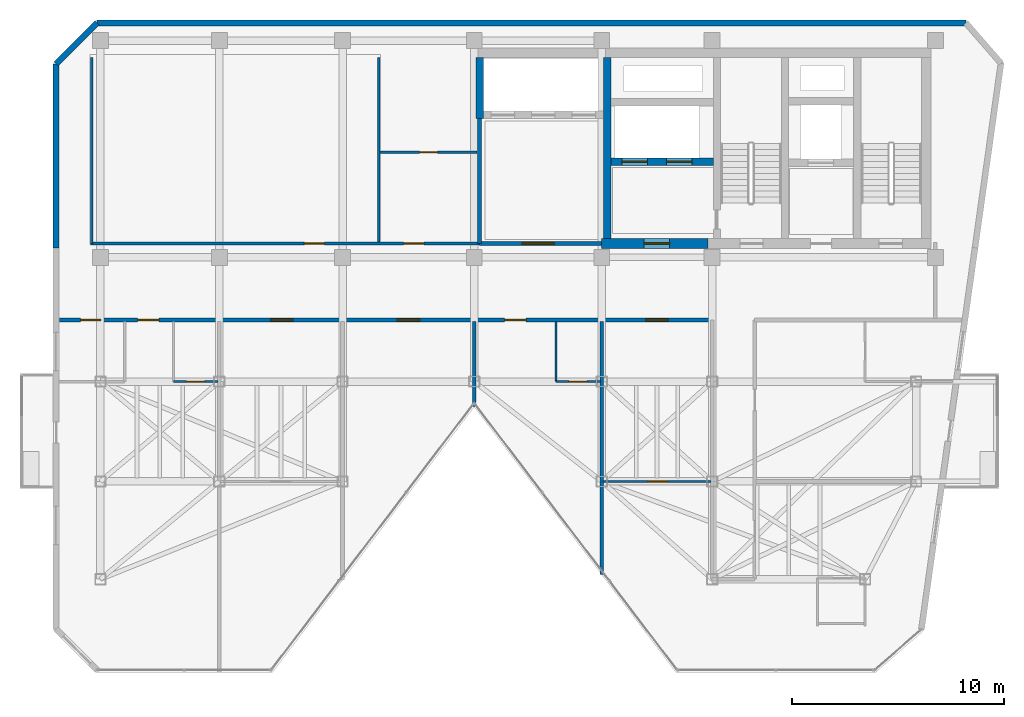
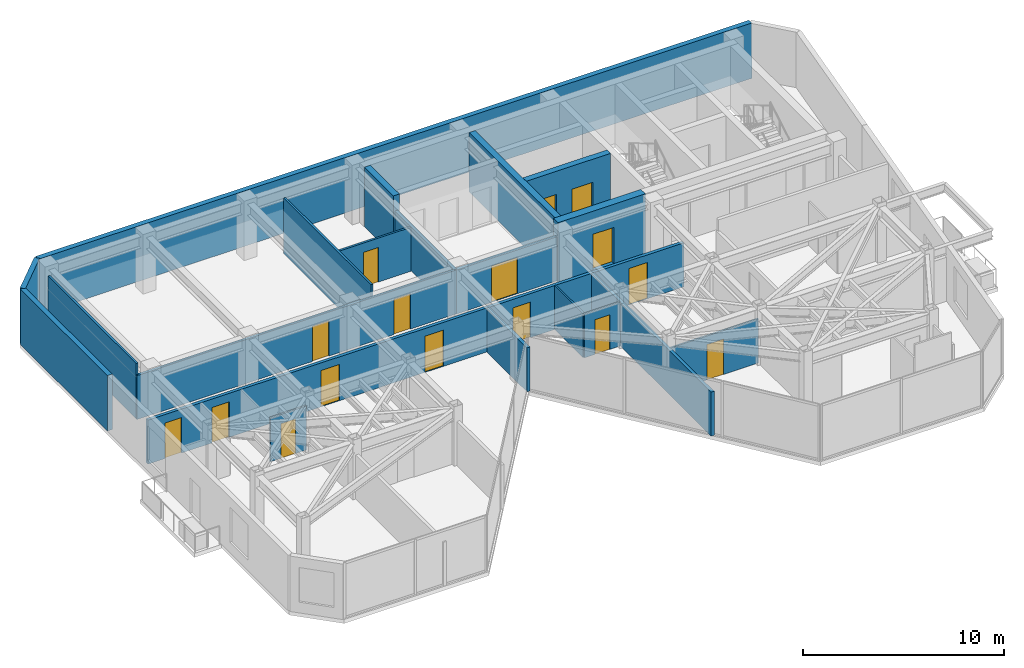
# One storey, part 13 of 17: 20 walls, 16 doors, 16 openings.
"""IFC4 building model written with IfcOpenShell, lengths in metres."""

from ifc_helpers import new_model, si_unit, direction, frame, frame_2d, origin, place, context, subcontext, project, spatial, rectangle, extrude, material, layer, layer_set, type_object, element, fill, save


model = new_model("IFC4")

# Units and contexts
model_context = context("Model", 3, precision=1e-05, world=origin(), true_north=direction((0.0, 1.0)))
body_context = subcontext(model_context, "Body", "Model", "MODEL_VIEW")
ifc_project = project(units=[si_unit("LENGTHUNIT", "METRE"), si_unit("AREAUNIT", "SQUARE_METRE"), si_unit("VOLUMEUNIT", "CUBIC_METRE"), si_unit("PLANEANGLEUNIT", "RADIAN"), si_unit("MASSUNIT", "GRAM", prefix="KILO")], contexts=[model_context])

# Site, building, storey
site_placement = place(None, origin())
site = spatial("IfcSite", under=ifc_project, at=site_placement, CompositionType="ELEMENT")
building_placement = place(site_placement, origin())
building = spatial("IfcBuilding", under=site, at=building_placement, Name="Kravanh Interchange Tower", CompositionType="ELEMENT")
storey_placement = place(building_placement, frame((0.0, 0.0, 256.199951171875)))
storey = spatial("IfcBuildingStorey", under=building, at=storey_placement, Name="L62", CompositionType="ELEMENT", Elevation=256.199951171875)

# Walls
ifc_material_1 = material(Name="Double Acoustic Gypsum Board and Mineral Wool")
ifc_layer_1 = layer(ifc_material_1, 0.1201171875)
ifc_layer_set_1 = layer_set([ifc_layer_1], Name="Acoustic Office Drywall Partition 120mm")
wall_type_1 = type_object("IfcWallType", Name="Acoustic Office Drywall Partition 120mm", PredefinedType="PARTITIONING", material=ifc_layer_set_1)
wall_1_placement = place(storey_placement, frame((26.800048828125, 38.0, 0.0), z_axis=(0.0, 0.0, 1.0), x_axis=(0.0, 1.0, 0.0)))
element("IfcWall", 1, at=wall_1_placement, inside=storey, type_object=wall_type_1, Name="L62 Interior Partition 4", PredefinedType="PARTITIONING", context=body_context, shape_type="SweptSolid", body=[
    extrude(rectangle(XDim=8.75, YDim=0.1201171875, at=frame_2d((4.375, 0.0))), origin(), (0.0, 0.0, 1.0), 3.360107421875),
])
wall_2_placement = place(storey_placement, frame((40.300048828125, 38.068115234375, 0.0), z_axis=(0.0, 0.0, 1.0), x_axis=(0.0, 1.0, 0.0)))
element("IfcWall", 2, at=wall_2_placement, inside=storey, type_object=wall_type_1, Name="L62 Interior Partition 5", PredefinedType="PARTITIONING", context=body_context, shape_type="SweptSolid", body=[
    extrude(rectangle(XDim=8.681884765625, YDim=0.1201171875, at=frame_2d((4.3408203125, 0.0))), origin(), (0.0, 0.0, 1.0), 3.360107421875),
])

# Wall, opening, door
wall_3_placement = place(storey_placement, frame((40.367919921875, 42.300048828125, 0.0), z_axis=(0.0, 0.0, 1.0), x_axis=(1.0, 0.0, 0.0)))
wall_3 = element("IfcWall", 3, at=wall_3_placement, inside=storey, type_object=wall_type_1, Name="L62 Interior Partition 6", PredefinedType="PARTITIONING", context=body_context, shape_type="SweptSolid", body=[
    extrude(rectangle(XDim=4.56396484375, YDim=0.1201171875, at=frame_2d((2.281982421875, 0.0))), origin(), (0.0, 0.0, 1.0), 2.6640625),
])
opening_1_placement = place(wall_3_placement, frame((1.85693359375, 0.0, 0.0)))
opening_1 = element("IfcOpeningElement", 4, at=opening_1_placement, cuts=wall_3, Name="Opening D-85", PredefinedType="OPENING", context=body_context, shape_type="SweptSolid", body=[
    extrude(rectangle(XDim=0.85009765625, YDim=2.10009765625, at=frame_2d((0.425048828125, 1.050048828125))), frame((0.0, 0.070068359375, 0.0), z_axis=(0.0, -1.0, 0.0), x_axis=(1.0, 0.0, 0.0)), (0.0, 0.0, 1.0), 0.14013671875),
])
ifc_material_2 = material(Name="Engineered Teak Veneer Timber", Category="wood")
door_type_1 = type_object("IfcDoorType", Name="En-Suite Timber Door 850x2100", OperationType="NOTDEFINED", PredefinedType="DOOR", material=ifc_material_2)
door_1_placement = place(opening_1_placement, origin())
door_1 = element("IfcDoor", 5, at=door_1_placement, inside=storey, type_object=door_type_1, Name="L62 North Beverage Study Inner Door", OperationType="SINGLE_SWING_RIGHT", OverallHeight=2.10009765625, OverallWidth=0.85009765625, PredefinedType="DOOR", context=body_context, shape_type="SweptSolid", body=[
    extrude(rectangle(XDim=0.85009765625, YDim=2.10009765625, at=frame_2d((0.425048828125, 1.050048828125))), frame((0.0, 0.02490234375, 0.0), z_axis=(0.0, -1.0, 0.0), x_axis=(1.0, 0.0, 0.0)), (0.0, 0.0, 1.0), 0.050048828125),
])
fill(opening_1, door_1)

# Wall, openings, doors
ifc_material_3 = material(Name="Concrete C60/75", Category="concrete")
ifc_layer_2 = layer(ifc_material_3, 0.35009765625)
ifc_layer_set_2 = layer_set([ifc_layer_2], Name="Core Shear Wall Concrete C60/75 350mm")
wall_type_2 = type_object("IfcWallType", Name="Core Shear Wall Concrete C60/75 350mm", PredefinedType="SHEAR", material=ifc_layer_set_2)
wall_4_placement = place(storey_placement, frame((51.22509765625, 41.85009765625, 0.0), z_axis=(0.0, 0.0, 1.0), x_axis=(1.0, 0.0, 0.0)))
wall_4 = element("IfcWall", 6, at=wall_4_placement, inside=storey, type_object=wall_type_2, Name="L62 Fire Lift Shaft South Wall", PredefinedType="SHEAR", context=body_context, shape_type="SweptSolid", body=[
    extrude(rectangle(XDim=4.824951171875, YDim=0.35009765625, at=frame_2d((2.41259765625, 0.0))), origin(), (0.0, 0.0, 1.0), 3.60009765625),
])
opening_2_placement = place(wall_4_placement, frame((0.52490234375, 0.0, 0.0)))
opening_2 = element("IfcOpeningElement", 7, at=opening_2_placement, cuts=wall_4, Name="Opening LD02", PredefinedType="OPENING", context=body_context, shape_type="SweptSolid", body=[
    extrude(rectangle(XDim=1.199951171875, YDim=2.199951171875, at=frame_2d((0.60009765625, 1.10009765625))), frame((0.0, 0.18505859375, 0.0), z_axis=(0.0, -1.0, 0.0), x_axis=(1.0, 0.0, 0.0)), (0.0, 0.0, 1.0), 0.3701171875),
])
opening_3_placement = place(wall_4_placement, frame((2.625, 0.0, 0.0)))
opening_3 = element("IfcOpeningElement", 8, at=opening_3_placement, cuts=wall_4, Name="Opening LD02", PredefinedType="OPENING", context=body_context, shape_type="SweptSolid", body=[
    extrude(rectangle(XDim=1.199951171875, YDim=2.199951171875, at=frame_2d((0.60009765625, 1.10009765625))), frame((0.0, 0.18505859375, 0.0), z_axis=(0.0, -1.0, 0.0), x_axis=(1.0, 0.0, 0.0)), (0.0, 0.0, 1.0), 0.3701171875),
])
ifc_material_4 = material(Name="Stainless Steel 316", Category="steel")
door_type_2 = type_object("IfcDoorType", Name="Fire and Service Lift Sliding Landing Door 1200x2200", OperationType="DOUBLE_DOOR_SLIDING", PredefinedType="DOOR", material=ifc_material_4)
door_2_placement = place(opening_2_placement, origin())
door_2 = element("IfcDoor", 9, at=door_2_placement, inside=storey, type_object=door_type_2, Name="L62 Lift FSAE-01 Landing Door", OperationType="DOUBLE_DOOR_SLIDING", OverallHeight=2.199951171875, OverallWidth=1.199951171875, PredefinedType="DOOR", context=body_context, shape_type="SweptSolid", body=[
    extrude(rectangle(XDim=1.199951171875, YDim=2.199951171875, at=frame_2d((0.60009765625, 1.10009765625))), frame((0.0, 0.02490234375, 0.0), z_axis=(0.0, -1.0, 0.0), x_axis=(1.0, 0.0, 0.0)), (0.0, 0.0, 1.0), 0.050048828125),
])
fill(opening_2, door_2)
door_3_placement = place(opening_3_placement, origin())
door_3 = element("IfcDoor", 10, at=door_3_placement, inside=storey, type_object=door_type_2, Name="L62 Lift FSAE-02 Landing Door", OperationType="DOUBLE_DOOR_SLIDING", OverallHeight=2.199951171875, OverallWidth=1.199951171875, PredefinedType="DOOR", context=body_context, shape_type="SweptSolid", body=[
    extrude(rectangle(XDim=1.199951171875, YDim=2.199951171875, at=frame_2d((0.60009765625, 1.10009765625))), frame((0.0, 0.02490234375, 0.0), z_axis=(0.0, -1.0, 0.0), x_axis=(1.0, 0.0, 0.0)), (0.0, 0.0, 1.0), 0.050048828125),
])
fill(opening_3, door_3)

# Walls
wall_5_placement = place(storey_placement, frame((51.050048828125, 38.22509765625, 0.0), z_axis=(0.0, 0.0, 1.0), x_axis=(0.0, 1.0, 0.0)))
element("IfcWall", 11, at=wall_5_placement, inside=storey, type_object=wall_type_2, Name="L62 Firefighting Lobby West Wall", PredefinedType="SHEAR", context=body_context, shape_type="SweptSolid", body=[
    extrude(rectangle(XDim=8.52490234375, YDim=0.35009765625, at=frame_2d((4.262451171875, 0.0))), origin(), (0.0, 0.0, 1.0), 3.60009765625),
])
wall_6_placement = place(storey_placement, frame((45.050048828125, 43.875, 0.0), z_axis=(0.0, 0.0, 1.0), x_axis=(0.0, 1.0, 0.0)))
element("IfcWall", 12, at=wall_6_placement, inside=storey, type_object=wall_type_2, Name="L62 High-Rise Lift Shaft West Wall", PredefinedType="SHEAR", context=body_context, shape_type="SweptSolid", body=[
    extrude(rectangle(XDim=2.875, YDim=0.35009765625, at=frame_2d((1.4375, 0.0))), origin(), (0.0, 0.0, 1.0), 3.60009765625),
])

# Wall, opening, door
ifc_material_5 = material(Name="Concrete C60/75", Category="concrete")
ifc_layer_3 = layer(ifc_material_5, 0.449951171875)
ifc_layer_set_3 = layer_set([ifc_layer_3], Name="Core Shear Wall Concrete C60/75 450mm")
wall_type_3 = type_object("IfcWallType", Name="Core Shear Wall Concrete C60/75 450mm", PredefinedType="SHEAR", material=ifc_layer_set_3)
wall_7_placement = place(storey_placement, frame((50.800048828125, 38.0, 0.0), z_axis=(0.0, 0.0, 1.0), x_axis=(1.0, 0.0, 0.0)))
wall_7 = element("IfcWall", 13, at=wall_7_placement, inside=storey, type_object=wall_type_3, Name="L62 Firefighting Lobby South Shear Wall", PredefinedType="SHEAR", context=body_context, shape_type="SweptSolid", body=[
    extrude(rectangle(XDim=5.0, YDim=0.449951171875, at=frame_2d((2.5, 0.0))), origin(), (0.0, 0.0, 1.0), 3.60009765625),
])
opening_4_placement = place(wall_7_placement, frame((2.0, 0.0, 0.0)))
opening_4 = element("IfcOpeningElement", 14, at=opening_4_placement, cuts=wall_7, Name="Opening D-FSAE-120", PredefinedType="OPENING", context=body_context, shape_type="SweptSolid", body=[
    extrude(rectangle(XDim=1.199951171875, YDim=2.199951171875, at=frame_2d((0.60009765625, 1.10009765625))), frame((0.0, 0.23486328125, 0.0), z_axis=(0.0, -1.0, 0.0), x_axis=(1.0, 0.0, 0.0)), (0.0, 0.0, 1.0), 0.469970703125),
])
ifc_material_6 = material(Name="Structural Steel S355", Category="steel")
door_type_3 = type_object("IfcDoorType", Name="Fire-Rated Refuge and FSAE Door 1200x2200", OperationType="NOTDEFINED", PredefinedType="DOOR", material=ifc_material_6)
door_4_placement = place(opening_4_placement, origin())
door_4 = element("IfcDoor", 15, at=door_4_placement, inside=storey, type_object=door_type_3, Name="L62 Firefighting Lobby Corridor Door", OperationType="SINGLE_SWING_RIGHT", OverallHeight=2.199951171875, OverallWidth=1.199951171875, PredefinedType="DOOR", context=body_context, shape_type="SweptSolid", body=[
    extrude(rectangle(XDim=1.199951171875, YDim=2.199951171875, at=frame_2d((0.60009765625, 1.10009765625))), frame((0.0, 0.02490234375, 0.0), z_axis=(0.0, -1.0, 0.0), x_axis=(1.0, 0.0, 0.0)), (0.0, 0.0, 1.0), 0.050048828125),
])
fill(opening_4, door_4)

ifc_material_7 = material(Name="Moisture-Resistant Gypsum Board and Mineral Wool")
ifc_layer_4 = layer(ifc_material_7, 0.10009765625)
ifc_layer_set_4 = layer_set([ifc_layer_4], Name="En-Suite Moisture-Resistant Partition 100mm")
wall_type_4 = type_object("IfcWallType", Name="En-Suite Moisture-Resistant Partition 100mm", PredefinedType="PARTITIONING", material=ifc_layer_set_4)
wall_8_placement = place(storey_placement, frame((30.64990234375, 31.5, 0.0), z_axis=(0.0, 0.0, 1.0), x_axis=(1.0, 0.0, 0.0)))
wall_8 = element("IfcWall", 16, at=wall_8_placement, inside=storey, type_object=wall_type_4, Name="L62 Interior Partition 23", PredefinedType="PARTITIONING", context=body_context, shape_type="SweptSolid", body=[
    extrude(rectangle(XDim=2.08203125, YDim=0.10009765625, at=frame_2d((1.041015625, 0.0))), origin(), (0.0, 0.0, 1.0), 2.6640625),
])
opening_5_placement = place(wall_8_placement, frame((0.607421875, 0.0, 0.0)))
opening_5 = element("IfcOpeningElement", 17, at=opening_5_placement, cuts=wall_8, Name="Opening D-85", PredefinedType="OPENING", context=body_context, shape_type="SweptSolid", body=[
    extrude(rectangle(XDim=0.85009765625, YDim=2.10009765625, at=frame_2d((0.425048828125, 1.050048828125))), frame((0.0, 0.06005859375, 0.0), z_axis=(0.0, -1.0, 0.0), x_axis=(1.0, 0.0, 0.0)), (0.0, 0.0, 1.0), 0.1201171875),
])
door_5_placement = place(opening_5_placement, origin())
door_5 = element("IfcDoor", 18, at=door_5_placement, inside=storey, type_object=door_type_1, Name="L62 En-suite Bathroom Door", OperationType="SINGLE_SWING_LEFT", OverallHeight=2.10009765625, OverallWidth=0.85009765625, PredefinedType="DOOR", context=body_context, shape_type="SweptSolid", body=[
    extrude(rectangle(XDim=0.85009765625, YDim=2.10009765625, at=frame_2d((0.425048828125, 1.050048828125))), frame((0.0, 0.02490234375, 0.0), z_axis=(0.0, -1.0, 0.0), x_axis=(1.0, 0.0, 0.0)), (0.0, 0.0, 1.0), 0.050048828125),
])
fill(opening_5, door_5)

# Wall
wall_9_placement = place(storey_placement, frame((48.64990234375, 31.5, 0.0), z_axis=(0.0, 0.0, 1.0), x_axis=(0.0, 1.0, 0.0)))
element("IfcWall", 19, at=wall_9_placement, inside=storey, type_object=wall_type_4, Name="L62 Interior Partition 28", PredefinedType="PARTITIONING", context=body_context, shape_type="SweptSolid", body=[
    extrude(rectangle(XDim=2.83203125, YDim=0.10009765625, at=frame_2d((1.416015625, 0.0))), origin(), (0.0, 0.0, 1.0), 2.6640625),
])

# Wall, opening, door
wall_10_placement = place(storey_placement, frame((48.64990234375, 31.5, 0.0), z_axis=(0.0, 0.0, 1.0), x_axis=(1.0, 0.0, 0.0)))
wall_10 = element("IfcWall", 20, at=wall_10_placement, inside=storey, type_object=wall_type_4, Name="L62 Interior Partition 29", PredefinedType="PARTITIONING", context=body_context, shape_type="SweptSolid", body=[
    extrude(rectangle(XDim=2.08203125, YDim=0.10009765625, at=frame_2d((1.041015625, 0.0))), origin(), (0.0, 0.0, 1.0), 2.6640625),
])
opening_6_placement = place(wall_10_placement, frame((0.607421875, 0.0, 0.0)))
opening_6 = element("IfcOpeningElement", 21, at=opening_6_placement, cuts=wall_10, Name="Opening D-85", PredefinedType="OPENING", context=body_context, shape_type="SweptSolid", body=[
    extrude(rectangle(XDim=0.85009765625, YDim=2.10009765625, at=frame_2d((0.425048828125, 1.050048828125))), frame((0.0, 0.06005859375, 0.0), z_axis=(0.0, -1.0, 0.0), x_axis=(1.0, 0.0, 0.0)), (0.0, 0.0, 1.0), 0.1201171875),
])
door_6_placement = place(opening_6_placement, origin())
door_6 = element("IfcDoor", 22, at=door_6_placement, inside=storey, type_object=door_type_1, Name="L62 En-suite Bathroom Door", OperationType="SINGLE_SWING_RIGHT", OverallHeight=2.10009765625, OverallWidth=0.85009765625, PredefinedType="DOOR", context=body_context, shape_type="SweptSolid", body=[
    extrude(rectangle(XDim=0.85009765625, YDim=2.10009765625, at=frame_2d((0.425048828125, 1.050048828125))), frame((0.0, 0.02490234375, 0.0), z_axis=(0.0, -1.0, 0.0), x_axis=(1.0, 0.0, 0.0)), (0.0, 0.0, 1.0), 0.050048828125),
])
fill(opening_6, door_6)

wall_11_placement = place(storey_placement, frame((50.867919921875, 26.800048828125, 0.0), z_axis=(0.0, 0.0, 1.0), x_axis=(1.0, 0.0, 0.0)))
wall_11 = element("IfcWall", 23, at=wall_11_placement, inside=storey, type_object=wall_type_4, Name="L62 Interior Partition 31", PredefinedType="PARTITIONING", context=body_context, shape_type="SweptSolid", body=[
    extrude(rectangle(XDim=5.06396484375, YDim=0.10009765625, at=frame_2d((2.531982421875, 0.0))), origin(), (0.0, 0.0, 1.0), 2.6640625),
])
opening_7_placement = place(wall_11_placement, frame((2.09716796875, 0.0, 0.0)))
opening_7 = element("IfcOpeningElement", 24, at=opening_7_placement, cuts=wall_11, Name="Opening D-95", PredefinedType="OPENING", context=body_context, shape_type="SweptSolid", body=[
    extrude(rectangle(XDim=0.949951171875, YDim=2.14990234375, at=frame_2d((0.47509765625, 1.074951171875))), frame((0.0, 0.06005859375, 0.0), z_axis=(0.0, -1.0, 0.0), x_axis=(1.0, 0.0, 0.0)), (0.0, 0.0, 1.0), 0.1201171875),
])
ifc_material_8 = material(Name="Laminate Solid-Core Timber", Category="wood")
door_type_4 = type_object("IfcDoorType", Name="Accessible Restroom Door 950x2150", OperationType="NOTDEFINED", PredefinedType="DOOR", material=ifc_material_8)
door_7_placement = place(opening_7_placement, origin())
door_7 = element("IfcDoor", 25, at=door_7_placement, inside=storey, type_object=door_type_4, Name="L62 Sunroom Alcove Inner Door", OperationType="SINGLE_SWING_LEFT", OverallHeight=2.14990234375, OverallWidth=0.949951171875, PredefinedType="DOOR", context=body_context, shape_type="SweptSolid", body=[
    extrude(rectangle(XDim=0.949951171875, YDim=2.14990234375, at=frame_2d((0.47509765625, 1.074951171875))), frame((0.0, 0.02490234375, 0.0), z_axis=(0.0, -1.0, 0.0), x_axis=(1.0, 0.0, 0.0)), (0.0, 0.0, 1.0), 0.050048828125),
])
fill(opening_7, door_7)

# Walls
ifc_material_9 = material(Name="Insulated Precast Concrete C40/50 with Bronze Cladding", Category="concrete")
ifc_layer_5 = layer(ifc_material_9, 0.280029296875)
ifc_layer_set_5 = layer_set([ifc_layer_5], Name="Exterior Insulated Concrete C40/50 Bronze Spandrel Wall 280mm")
wall_type_5 = type_object("IfcWallType", Name="Exterior Insulated Concrete C40/50 Bronze Spandrel Wall 280mm", PredefinedType="STANDARD", material=ifc_layer_set_5)
wall_12_placement = place(storey_placement, frame((25.1201171875, 37.800048828125, 0.0), z_axis=(0.0, 0.0, 1.0), x_axis=(0.0, 1.0, 0.0)))
element("IfcWall", 26, at=wall_12_placement, inside=storey, type_object=wall_type_5, Name="L62 Exterior Wall 2", PredefinedType="STANDARD", context=body_context, shape_type="SweptSolid", body=[
    extrude(rectangle(XDim=8.650146484375, YDim=0.280029296875, at=frame_2d((4.3251953125, 0.0))), origin(), (0.0, 0.0, 1.0), 3.360107421875),
])
wall_13_placement = place(storey_placement, frame((25.1201171875, 46.4501953125, 0.0), z_axis=(0.0, 0.0, 1.0), x_axis=(0.707106781187, 0.707106781187, 0.0)))
element("IfcWall", 27, at=wall_13_placement, inside=storey, type_object=wall_type_5, Name="L62 Exterior Wall 3", PredefinedType="STANDARD", context=body_context, shape_type="SweptSolid", body=[
    extrude(rectangle(XDim=2.72900390625, YDim=0.280029296875, at=frame_2d((1.364501953125, 0.0))), origin(), (0.0, 0.0, 1.0), 3.360107421875),
])
wall_14_placement = place(storey_placement, frame((27.0498046875, 48.3798828125, 0.0), z_axis=(0.0, 0.0, 1.0), x_axis=(1.0, 0.0, 0.0)))
element("IfcWall", 28, at=wall_14_placement, inside=storey, type_object=wall_type_5, Name="L62 Exterior Wall 4", PredefinedType="STANDARD", context=body_context, shape_type="SweptSolid", body=[
    extrude(rectangle(XDim=40.8955078125, YDim=0.280029296875, at=frame_2d((20.44775390625, 0.0))), origin(), (0.0, 0.0, 1.0), 3.360107421875),
])

# Wall, opening, door
ifc_material_10 = material(Name="Autoclaved Aerated Concrete C30/37 Blockwork", Category="masonry")
ifc_layer_6 = layer(ifc_material_10, 0.179931640625)
ifc_layer_set_6 = layer_set([ifc_layer_6], Name="Fire-Rated Lobby and Corridor Wall Concrete C30/37 180mm")
wall_type_6 = type_object("IfcWallType", Name="Fire-Rated Lobby and Corridor Wall Concrete C30/37 180mm", PredefinedType="STANDARD", material=ifc_layer_set_6)
wall_15_placement = place(storey_placement, frame((45.050048828125, 38.0, 0.0), z_axis=(0.0, 0.0, 1.0), x_axis=(1.0, 0.0, 0.0)))
wall_15 = element("IfcWall", 29, at=wall_15_placement, inside=storey, type_object=wall_type_6, Name="L62 High-Rise Lift Lobby Wall 1", PredefinedType="STANDARD", context=body_context, shape_type="SweptSolid", body=[
    extrude(rectangle(XDim=5.75, YDim=0.179931640625, at=frame_2d((2.875, 0.0))), origin(), (0.0, 0.0, 1.0), 2.6640625),
])
opening_8_placement = place(wall_15_placement, frame((2.0087890625, 0.0, 0.0)))
opening_8 = element("IfcOpeningElement", 30, at=opening_8_placement, cuts=wall_15, Name="Opening DBL-150", PredefinedType="OPENING", context=body_context, shape_type="SweptSolid", body=[
    extrude(rectangle(XDim=1.5, YDim=2.199951171875, at=frame_2d((0.75, 1.10009765625))), frame((0.0, 0.10009765625, 0.0), z_axis=(0.0, -1.0, 0.0), x_axis=(1.0, 0.0, 0.0)), (0.0, 0.0, 1.0), 0.199951171875),
])
ifc_material_11 = material(Name="Acoustic Timber and Toughened Glass", Category="wood")
door_type_5 = type_object("IfcDoorType", Name="Conference Hall Double Door 1500x2200", OperationType="DOUBLE_DOOR_SINGLE_SWING", PredefinedType="DOOR", material=ifc_material_11)
door_8_placement = place(opening_8_placement, origin())
door_8 = element("IfcDoor", 31, at=door_8_placement, inside=storey, type_object=door_type_5, Name="L62 High-Rise Lift Lobby Door", OperationType="DOUBLE_DOOR_SINGLE_SWING", OverallHeight=2.199951171875, OverallWidth=1.5, PredefinedType="DOOR", context=body_context, shape_type="SweptSolid", body=[
    extrude(rectangle(XDim=1.5, YDim=2.199951171875, at=frame_2d((0.75, 1.10009765625))), frame((0.0, 0.02490234375, 0.0), z_axis=(0.0, -1.0, 0.0), x_axis=(1.0, 0.0, 0.0)), (0.0, 0.0, 1.0), 0.050048828125),
])
fill(opening_8, door_8)

# Wall
wall_16_placement = place(storey_placement, frame((45.050048828125, 38.0, 0.0), z_axis=(0.0, 0.0, 1.0), x_axis=(0.0, 1.0, 0.0)))
element("IfcWall", 32, at=wall_16_placement, inside=storey, type_object=wall_type_6, Name="L62 Interior Partition 2", PredefinedType="STANDARD", context=body_context, shape_type="SweptSolid", body=[
    extrude(rectangle(XDim=5.875, YDim=0.179931640625, at=frame_2d((2.9375, 0.0))), origin(), (0.0, 0.0, 1.0), 2.6640625),
])

# Wall, openings, doors
wall_17_placement = place(storey_placement, frame((25.284912109375, 34.39990234375, 0.0), z_axis=(0.0, 0.0, 1.0), x_axis=(1.0, 0.0, 0.0)))
wall_17 = element("IfcWall", 33, at=wall_17_placement, inside=storey, type_object=wall_type_6, Name="L62 Interior Partition 7", PredefinedType="STANDARD", context=body_context, shape_type="SweptSolid", body=[
    extrude(rectangle(XDim=30.715087890625, YDim=0.179931640625, at=frame_2d((15.357421875, 0.0))), origin(), (0.0, 0.0, 1.0), 2.6640625),
])
opening_9_placement = place(wall_17_placement, frame((0.9892578125, 0.0, 0.0)))
opening_9 = element("IfcOpeningElement", 34, at=opening_9_placement, cuts=wall_17, Name="Opening D-95", PredefinedType="OPENING", context=body_context, shape_type="SweptSolid", body=[
    extrude(rectangle(XDim=0.949951171875, YDim=2.14990234375, at=frame_2d((0.47509765625, 1.074951171875))), frame((0.0, 0.10009765625, 0.0), z_axis=(0.0, -1.0, 0.0), x_axis=(1.0, 0.0, 0.0)), (0.0, 0.0, 1.0), 0.199951171875),
])
opening_10_placement = place(wall_17_placement, frame((3.668701171875, 0.0, 0.0)))
opening_10 = element("IfcOpeningElement", 35, at=opening_10_placement, cuts=wall_17, Name="Opening D-HOTEL-100", PredefinedType="OPENING", context=body_context, shape_type="SweptSolid", body=[
    extrude(rectangle(XDim=1.0, YDim=2.14990234375, at=frame_2d((0.5, 1.074951171875))), frame((0.0, 0.10009765625, 0.0), z_axis=(0.0, -1.0, 0.0), x_axis=(1.0, 0.0, 0.0)), (0.0, 0.0, 1.0), 0.199951171875),
])
opening_11_placement = place(wall_17_placement, frame((9.9306640625, 0.0, 0.0)))
opening_11 = element("IfcOpeningElement", 36, at=opening_11_placement, cuts=wall_17, Name="Opening D-105", PredefinedType="OPENING", context=body_context, shape_type="SweptSolid", body=[
    extrude(rectangle(XDim=1.050048828125, YDim=2.199951171875, at=frame_2d((0.52490234375, 1.10009765625))), frame((0.0, 0.10009765625, 0.0), z_axis=(0.0, -1.0, 0.0), x_axis=(1.0, 0.0, 0.0)), (0.0, 0.0, 1.0), 0.199951171875),
])
opening_12_placement = place(wall_17_placement, frame((15.889892578125, 0.0, 0.0)))
opening_12 = element("IfcOpeningElement", 37, at=opening_12_placement, cuts=wall_17, Name="Opening D-105", PredefinedType="OPENING", context=body_context, shape_type="SweptSolid", body=[
    extrude(rectangle(XDim=1.050048828125, YDim=2.199951171875, at=frame_2d((0.52490234375, 1.10009765625))), frame((0.0, 0.10009765625, 0.0), z_axis=(0.0, -1.0, 0.0), x_axis=(1.0, 0.0, 0.0)), (0.0, 0.0, 1.0), 0.199951171875),
])
opening_13_placement = place(wall_17_placement, frame((20.93994140625, 0.0, 0.0)))
opening_13 = element("IfcOpeningElement", 38, at=opening_13_placement, cuts=wall_17, Name="Opening D-HOTEL-100", PredefinedType="OPENING", context=body_context, shape_type="SweptSolid", body=[
    extrude(rectangle(XDim=1.0, YDim=2.14990234375, at=frame_2d((0.5, 1.074951171875))), frame((0.0, 0.10009765625, 0.0), z_axis=(0.0, -1.0, 0.0), x_axis=(1.0, 0.0, 0.0)), (0.0, 0.0, 1.0), 0.199951171875),
])
opening_14_placement = place(wall_17_placement, frame((27.590087890625, 0.0, 0.0)))
opening_14 = element("IfcOpeningElement", 39, at=opening_14_placement, cuts=wall_17, Name="Opening D-105", PredefinedType="OPENING", context=body_context, shape_type="SweptSolid", body=[
    extrude(rectangle(XDim=1.050048828125, YDim=2.199951171875, at=frame_2d((0.52490234375, 1.10009765625))), frame((0.0, 0.10009765625, 0.0), z_axis=(0.0, -1.0, 0.0), x_axis=(1.0, 0.0, 0.0)), (0.0, 0.0, 1.0), 0.199951171875),
])
door_9_placement = place(opening_9_placement, origin())
door_9 = element("IfcDoor", 40, at=door_9_placement, inside=storey, type_object=door_type_4, Name="L62 Accessible WC Door", OperationType="SINGLE_SWING_LEFT", OverallHeight=2.14990234375, OverallWidth=0.949951171875, PredefinedType="DOOR", context=body_context, shape_type="SweptSolid", body=[
    extrude(rectangle(XDim=0.949951171875, YDim=2.14990234375, at=frame_2d((0.47509765625, 1.074951171875))), frame((0.0, 0.02490234375, 0.0), z_axis=(0.0, -1.0, 0.0), x_axis=(1.0, 0.0, 0.0)), (0.0, 0.0, 1.0), 0.050048828125),
])
fill(opening_9, door_9)
ifc_material_12 = material(Name="Fire-Rated Solid Timber Leaf", Category="wood")
door_type_6 = type_object("IfcDoorType", Name="Fire-Rated Suite Entrance Door 1000x2150", OperationType="NOTDEFINED", PredefinedType="DOOR", material=ifc_material_12)
door_10_placement = place(opening_10_placement, origin())
door_10 = element("IfcDoor", 41, at=door_10_placement, inside=storey, type_object=door_type_6, Name="L62 Hotel Guest Room A Entrance Door", OperationType="SINGLE_SWING_RIGHT", OverallHeight=2.14990234375, OverallWidth=1.0, PredefinedType="DOOR", context=body_context, shape_type="SweptSolid", body=[
    extrude(rectangle(XDim=1.0, YDim=2.14990234375, at=frame_2d((0.5, 1.074951171875))), frame((0.0, 0.02490234375, 0.0), z_axis=(0.0, -1.0, 0.0), x_axis=(1.0, 0.0, 0.0)), (0.0, 0.0, 1.0), 0.050048828125),
])
fill(opening_10, door_10)
door_11_placement = place(opening_13_placement, origin())
door_11 = element("IfcDoor", 42, at=door_11_placement, inside=storey, type_object=door_type_6, Name="L62 Imperial Hotel Suite Entrance Door", OperationType="SINGLE_SWING_LEFT", OverallHeight=2.14990234375, OverallWidth=1.0, PredefinedType="DOOR", context=body_context, shape_type="SweptSolid", body=[
    extrude(rectangle(XDim=1.0, YDim=2.14990234375, at=frame_2d((0.5, 1.074951171875))), frame((0.0, 0.02490234375, 0.0), z_axis=(0.0, -1.0, 0.0), x_axis=(1.0, 0.0, 0.0)), (0.0, 0.0, 1.0), 0.050048828125),
])
fill(opening_13, door_11)
ifc_material_13 = material(Name="Acoustic Glazed Oak and Aluminium", Category="aluminium")
door_type_7 = type_object("IfcDoorType", Name="Office Workplace Door 1050x2200", OperationType="NOTDEFINED", PredefinedType="DOOR", material=ifc_material_13)
door_12_placement = place(opening_11_placement, origin())
door_12 = element("IfcDoor", 43, at=door_12_placement, inside=storey, type_object=door_type_7, Name="L62 Private Dining Lounge Door", OperationType="SINGLE_SWING_LEFT", OverallHeight=2.199951171875, OverallWidth=1.050048828125, PredefinedType="DOOR", context=body_context, shape_type="SweptSolid", body=[
    extrude(rectangle(XDim=1.050048828125, YDim=2.199951171875, at=frame_2d((0.52490234375, 1.10009765625))), frame((0.0, 0.02490234375, 0.0), z_axis=(0.0, -1.0, 0.0), x_axis=(1.0, 0.0, 0.0)), (0.0, 0.0, 1.0), 0.050048828125),
])
fill(opening_11, door_12)
door_13_placement = place(opening_12_placement, origin())
door_13 = element("IfcDoor", 44, at=door_13_placement, inside=storey, type_object=door_type_7, Name="L62 Sky Tea Lounge Door", OperationType="SINGLE_SWING_RIGHT", OverallHeight=2.199951171875, OverallWidth=1.050048828125, PredefinedType="DOOR", context=body_context, shape_type="SweptSolid", body=[
    extrude(rectangle(XDim=1.050048828125, YDim=2.199951171875, at=frame_2d((0.52490234375, 1.10009765625))), frame((0.0, 0.02490234375, 0.0), z_axis=(0.0, -1.0, 0.0), x_axis=(1.0, 0.0, 0.0)), (0.0, 0.0, 1.0), 0.050048828125),
])
fill(opening_12, door_13)
door_14_placement = place(opening_14_placement, origin())
door_14 = element("IfcDoor", 45, at=door_14_placement, inside=storey, type_object=door_type_7, Name="L62 Tea Kitchenette Door", OperationType="SINGLE_SWING_RIGHT", OverallHeight=2.199951171875, OverallWidth=1.050048828125, PredefinedType="DOOR", context=body_context, shape_type="SweptSolid", body=[
    extrude(rectangle(XDim=1.050048828125, YDim=2.199951171875, at=frame_2d((0.52490234375, 1.10009765625))), frame((0.0, 0.02490234375, 0.0), z_axis=(0.0, -1.0, 0.0), x_axis=(1.0, 0.0, 0.0)), (0.0, 0.0, 1.0), 0.050048828125),
])
fill(opening_14, door_14)

# Walls
wall_18_placement = place(storey_placement, frame((44.800048828125, 30.32470703125, 0.0), z_axis=(0.0, 0.0, 1.0), x_axis=(0.0, 1.0, 0.0)))
element("IfcWall", 46, at=wall_18_placement, inside=storey, type_object=wall_type_6, Name="L62 Interior Partition 27", PredefinedType="STANDARD", context=body_context, shape_type="SweptSolid", body=[
    extrude(rectangle(XDim=4.00732421875, YDim=0.179931640625, at=frame_2d((2.003662109375, 0.0))), origin(), (0.0, 0.0, 1.0), 2.6640625),
])
wall_19_placement = place(storey_placement, frame((50.800048828125, 22.43017578125, 0.0), z_axis=(0.0, 0.0, 1.0), x_axis=(0.0, 1.0, 0.0)))
element("IfcWall", 47, at=wall_19_placement, inside=storey, type_object=wall_type_6, Name="L62 Interior Partition 30", PredefinedType="STANDARD", context=body_context, shape_type="SweptSolid", body=[
    extrude(rectangle(XDim=11.90185546875, YDim=0.179931640625, at=frame_2d((5.950927734375, 0.0))), origin(), (0.0, 0.0, 1.0), 2.6640625),
])

# Wall, openings, doors
ifc_material_14 = material(Name="Twin Stud Acoustic Gypsum Board Wall")
ifc_layer_7 = layer(ifc_material_14, 0.14990234375)
ifc_layer_set_7 = layer_set([ifc_layer_7], Name="Medium-Duty Acoustic Partition 150mm")
wall_type_7 = type_object("IfcWallType", Name="Medium-Duty Acoustic Partition 150mm", PredefinedType="PARTITIONING", material=ifc_layer_set_7)
wall_20_placement = place(storey_placement, frame((26.75, 38.0, 0.0), z_axis=(0.0, 0.0, 1.0), x_axis=(1.0, 0.0, 0.0)))
wall_20 = element("IfcWall", 48, at=wall_20_placement, inside=storey, type_object=wall_type_7, Name="L62 Interior Partition 3", PredefinedType="PARTITIONING", context=body_context, shape_type="SweptSolid", body=[
    extrude(rectangle(XDim=18.300048828125, YDim=0.14990234375, at=frame_2d((9.14990234375, 0.0))), origin(), (0.0, 0.0, 1.0), 2.6640625),
])
opening_15_placement = place(wall_20_placement, frame((10.050048828125, 0.0, 0.0)))
opening_15 = element("IfcOpeningElement", 49, at=opening_15_placement, cuts=wall_20, Name="Opening D-95", PredefinedType="OPENING", context=body_context, shape_type="SweptSolid", body=[
    extrude(rectangle(XDim=0.949951171875, YDim=2.14990234375, at=frame_2d((0.47509765625, 1.074951171875))), frame((0.0, 0.0849609375, 0.0), z_axis=(0.0, -1.0, 0.0), x_axis=(1.0, 0.0, 0.0)), (0.0, 0.0, 1.0), 0.169921875),
])
opening_16_placement = place(wall_20_placement, frame((14.72509765625, 0.0, 0.0)))
opening_16 = element("IfcOpeningElement", 50, at=opening_16_placement, cuts=wall_20, Name="Opening D-95", PredefinedType="OPENING", context=body_context, shape_type="SweptSolid", body=[
    extrude(rectangle(XDim=0.949951171875, YDim=2.14990234375, at=frame_2d((0.47509765625, 1.074951171875))), frame((0.0, 0.0849609375, 0.0), z_axis=(0.0, -1.0, 0.0), x_axis=(1.0, 0.0, 0.0)), (0.0, 0.0, 1.0), 0.169921875),
])
door_15_placement = place(opening_15_placement, origin())
door_15 = element("IfcDoor", 51, at=door_15_placement, inside=storey, type_object=door_type_4, Name="L62 Spa Salon Lounge Door", OperationType="SINGLE_SWING_RIGHT", OverallHeight=2.14990234375, OverallWidth=0.949951171875, PredefinedType="DOOR", context=body_context, shape_type="SweptSolid", body=[
    extrude(rectangle(XDim=0.949951171875, YDim=2.14990234375, at=frame_2d((0.47509765625, 1.074951171875))), frame((0.0, 0.02490234375, 0.0), z_axis=(0.0, -1.0, 0.0), x_axis=(1.0, 0.0, 0.0)), (0.0, 0.0, 1.0), 0.050048828125),
])
fill(opening_15, door_15)
door_16_placement = place(opening_16_placement, origin())
door_16 = element("IfcDoor", 52, at=door_16_placement, inside=storey, type_object=door_type_4, Name="L62 Housekeeping Linen Door", OperationType="SINGLE_SWING_LEFT", OverallHeight=2.14990234375, OverallWidth=0.949951171875, PredefinedType="DOOR", context=body_context, shape_type="SweptSolid", body=[
    extrude(rectangle(XDim=0.949951171875, YDim=2.14990234375, at=frame_2d((0.47509765625, 1.074951171875))), frame((0.0, 0.02490234375, 0.0), z_axis=(0.0, -1.0, 0.0), x_axis=(1.0, 0.0, 0.0)), (0.0, 0.0, 1.0), 0.050048828125),
])
fill(opening_16, door_16)

save(model, "model.ifc")
